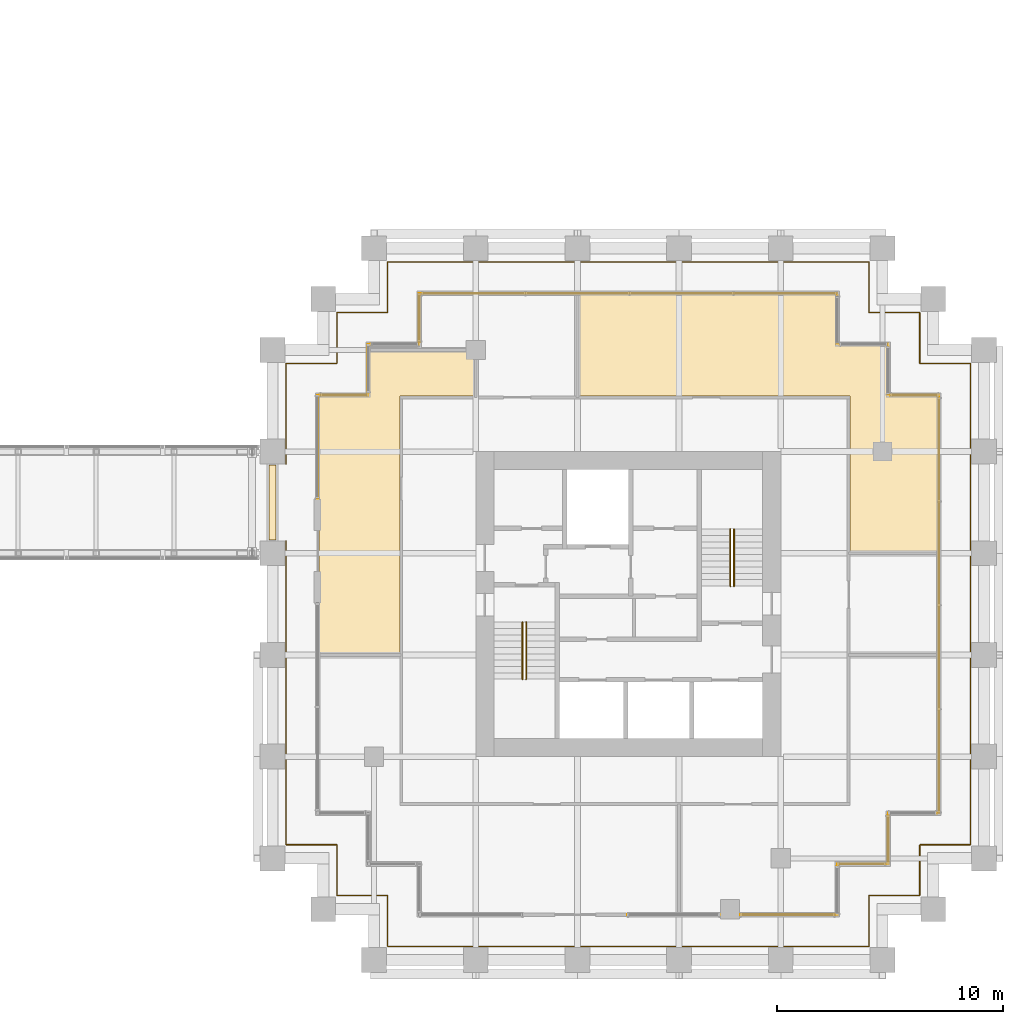
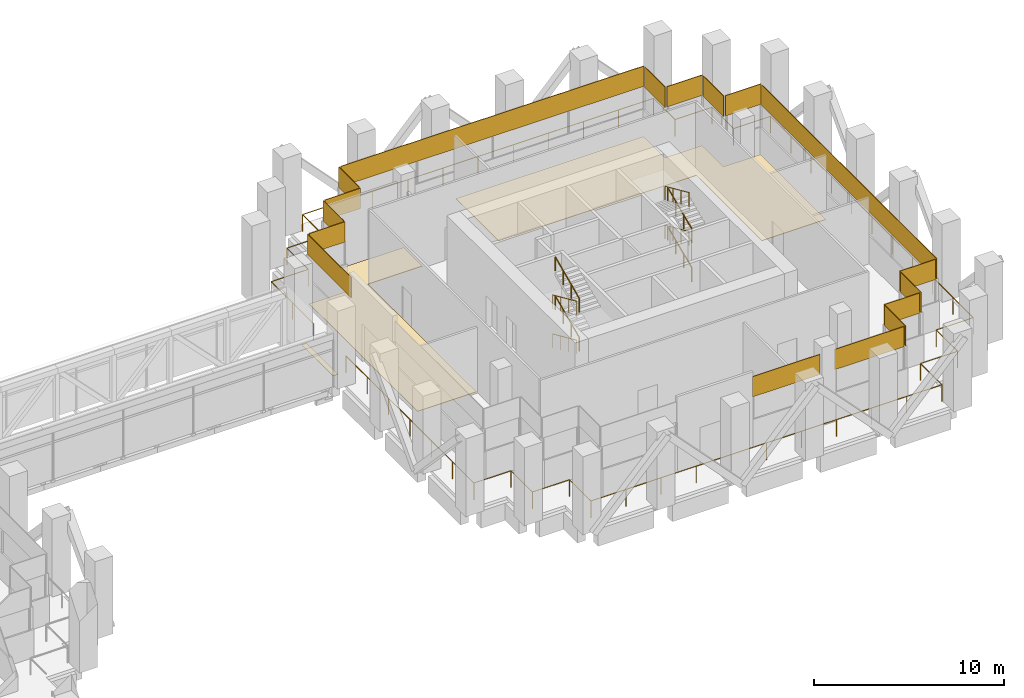
# One storey, part 44 of 44: 20 coverings, 9 railings.
"""IFC4 building model written with IfcOpenShell, lengths in metres."""

from ifc_helpers import new_model, si_unit, direction, frame, origin, origin_2d, place, context, subcontext, project, spatial, polyline, rectangle, circle, outline, extrude, source, transform, mapped, material, layer, layer_set, type_object, element, save


model = new_model("IFC4")

# Units and contexts
model_context = context("Model", 3, precision=1e-05, world=origin(), true_north=direction((0.0, 1.0)))
body_context = subcontext(model_context, "Body", "Model", "MODEL_VIEW")
ifc_project = project(units=[si_unit("LENGTHUNIT", "METRE"), si_unit("AREAUNIT", "SQUARE_METRE"), si_unit("VOLUMEUNIT", "CUBIC_METRE"), si_unit("PLANEANGLEUNIT", "RADIAN"), si_unit("MASSUNIT", "GRAM", prefix="KILO")], contexts=[model_context])

# Site, building, storey
site_placement = place(None, origin())
site = spatial("IfcSite", under=ifc_project, at=site_placement, CompositionType="ELEMENT")
building_placement = place(site_placement, origin())
building = spatial("IfcBuilding", under=site, at=building_placement, Name="Altepetl Exchange Towers", CompositionType="ELEMENT")
storey_placement = place(building_placement, frame((0.0, 0.0, 87.0)))
storey = spatial("IfcBuildingStorey", under=building, at=storey_placement, Name="L21 Refuge", CompositionType="ELEMENT", Elevation=87.0)

# Coverings
ifc_material_1 = material(Name="Stainless steel and elastomer joint cover", Category="steel")
ifc_layer_1 = layer(ifc_material_1, 0.02001953125)
ifc_layer_set_1 = layer_set([ifc_layer_1], Name="Stainless steel and elastomer joint cover")
covering_type_1 = type_object("IfcCoveringType", Name="Flexible expansion joint cover 300", PredefinedType="FLOORING", material=ifc_layer_set_1)
covering_1_placement = place(storey_placement, frame((94.5, 47.25, 0.0)))
element("IfcCovering", 1, at=covering_1_placement, inside=storey, type_object=covering_type_1, Name="BR1 joint cover", PredefinedType="FLOORING", context=body_context, shape_type="SweptSolid", body=[
    extrude(rectangle(XDim=0.300048828125, YDim=3.300048828125, at=origin_2d()), origin(), (0.0, 0.0, 1.0), 0.02001953125),
])
ifc_material_2 = material(Name="Cantera stone", Category="masonry")
ifc_layer_2 = layer(ifc_material_2, 0.030029296875)
ifc_layer_set_2 = layer_set([ifc_layer_2], Name="Cantera stone")
covering_type_2 = type_object("IfcCoveringType", Name="Polished stone floor", PredefinedType="FLOORING", material=ifc_layer_set_2)
covering_2_placement = place(storey_placement, origin())
element("IfcCovering", 2, at=covering_2_placement, inside=storey, type_object=covering_type_2, Name="Refuge area floor finish B21.04", PredefinedType="FLOORING", context=body_context, shape_type="SweptSolid", body=[
    extrude(outline(polyline([(108.0625, 56.4375), (108.0625, 51.96240234375), (120.0625, 51.96240234375), (120.0625, 45.0625), (123.9375, 45.0625), (123.9375, 51.9375), (121.6875, 51.9375), (121.6875, 54.1875), (119.4375, 54.1875), (119.4375, 56.4375), (108.0625, 56.4375)])), origin(), (0.0, 0.0, 1.0), 0.030029296875),
])
covering_3_placement = place(storey_placement, origin())
element("IfcCovering", 3, at=covering_3_placement, inside=storey, type_object=covering_type_2, Name="Bridge lobby floor finish B21.06", PredefinedType="FLOORING", context=body_context, shape_type="SweptSolid", body=[
    extrude(outline(polyline([(96.5625, 51.9375), (96.5625, 40.5625), (100.137451171875, 40.5625), (100.137451171875, 51.96240234375), (103.4375, 51.96240234375), (103.4375, 53.9375), (98.8125, 53.9375), (98.8125, 51.9375), (96.5625, 51.9375)])), origin(), (0.0, 0.0, 1.0), 0.030029296875),
])
ifc_material_3 = material(Name="Cantera limestone cladding", Category="masonry")
ifc_layer_3 = layer(ifc_material_3, 0.0400390625)
ifc_layer_set_3 = layer_set([ifc_layer_3], Name="Cantera limestone cladding")
covering_type_3 = type_object("IfcCoveringType", Name="Stone panel 40 cantera", PredefinedType="CLADDING", material=ifc_layer_set_3)
covering_4_placement = place(storey_placement, frame((97.675048828125, 52.0, 3.2001953125), z_axis=(0.0, 0.0, 1.0), x_axis=(-1.0, 0.0, 0.0)))
element("IfcCovering", 4, at=covering_4_placement, inside=storey, type_object=covering_type_3, Name="Stone cladding band", PredefinedType="CLADDING", context=body_context, shape_type="SweptSolid", body=[
    extrude(rectangle(XDim=2.14990234375, YDim=0.0400390625, at=origin_2d()), origin(), (0.0, 0.0, 1.0), 1.300048828125),
])
covering_5_placement = place(storey_placement, frame((96.5, 49.699951171875, 3.2001953125), z_axis=(0.0, 0.0, 1.0), x_axis=(0.0, -1.0, 0.0)))
element("IfcCovering", 5, at=covering_5_placement, inside=storey, type_object=covering_type_3, Name="Stone cladding band", PredefinedType="CLADDING", context=body_context, shape_type="SweptSolid", body=[
    extrude(rectangle(XDim=4.60009765625, YDim=0.0400390625, at=origin_2d()), origin(), (0.0, 0.0, 1.0), 1.300048828125),
])
covering_6_placement = place(storey_placement, frame((112.25244140625, 29.0, 3.2001953125)))
element("IfcCovering", 6, at=covering_6_placement, inside=storey, type_object=covering_type_3, Name="Stone cladding band", PredefinedType="CLADDING", context=body_context, shape_type="SweptSolid", body=[
    extrude(rectangle(XDim=4.10498046875, YDim=0.0400390625, at=origin_2d()), origin(), (0.0, 0.0, 1.0), 1.300048828125),
])
covering_7_placement = place(storey_placement, frame((117.297607421875, 29.0, 3.2001953125)))
element("IfcCovering", 7, at=covering_7_placement, inside=storey, type_object=covering_type_3, Name="Stone cladding band", PredefinedType="CLADDING", context=body_context, shape_type="SweptSolid", body=[
    extrude(rectangle(XDim=4.205078125, YDim=0.0400390625, at=origin_2d()), origin(), (0.0, 0.0, 1.0), 1.300048828125),
])
covering_8_placement = place(storey_placement, frame((119.5, 30.074951171875, 3.2001953125), z_axis=(0.0, 0.0, 1.0), x_axis=(0.0, 1.0, 0.0)))
element("IfcCovering", 8, at=covering_8_placement, inside=storey, type_object=covering_type_3, Name="Stone cladding band", PredefinedType="CLADDING", context=body_context, shape_type="SweptSolid", body=[
    extrude(rectangle(XDim=2.14990234375, YDim=0.0400390625, at=origin_2d()), origin(), (0.0, 0.0, 1.0), 1.300048828125),
])
covering_9_placement = place(storey_placement, frame((120.574951171875, 31.25, 3.2001953125)))
element("IfcCovering", 9, at=covering_9_placement, inside=storey, type_object=covering_type_3, Name="Stone cladding band", PredefinedType="CLADDING", context=body_context, shape_type="SweptSolid", body=[
    extrude(rectangle(XDim=2.14990234375, YDim=0.0400390625, at=origin_2d()), origin(), (0.0, 0.0, 1.0), 1.300048828125),
])
covering_10_placement = place(storey_placement, frame((121.75, 32.324951171875, 3.2001953125), z_axis=(0.0, 0.0, 1.0), x_axis=(0.0, 1.0, 0.0)))
element("IfcCovering", 10, at=covering_10_placement, inside=storey, type_object=covering_type_3, Name="Stone cladding band", PredefinedType="CLADDING", context=body_context, shape_type="SweptSolid", body=[
    extrude(rectangle(XDim=2.14990234375, YDim=0.0400390625, at=origin_2d()), origin(), (0.0, 0.0, 1.0), 1.300048828125),
])
covering_11_placement = place(storey_placement, frame((122.824951171875, 33.5, 3.2001953125)))
element("IfcCovering", 11, at=covering_11_placement, inside=storey, type_object=covering_type_3, Name="Stone cladding band", PredefinedType="CLADDING", context=body_context, shape_type="SweptSolid", body=[
    extrude(rectangle(XDim=2.14990234375, YDim=0.0400390625, at=origin_2d()), origin(), (0.0, 0.0, 1.0), 1.300048828125),
])
covering_12_placement = place(storey_placement, frame((124.0, 42.699951171875, 3.2001953125), z_axis=(0.0, 0.0, 1.0), x_axis=(0.0, 1.0, 0.0)))
element("IfcCovering", 12, at=covering_12_placement, inside=storey, type_object=covering_type_3, Name="Stone cladding band", PredefinedType="CLADDING", context=body_context, shape_type="SweptSolid", body=[
    extrude(rectangle(XDim=18.39990234375, YDim=0.0400390625, at=origin_2d()), origin(), (0.0, 0.0, 1.0), 1.300048828125),
])
for number, where, z_axis, x_axis, name in (
    (13, (122.925048828125, 52.0, 3.2001953125), (0.0, 0.0, 1.0), (-1.0, 0.0, 0.0), "Stone cladding band"),
    (14, (121.75, 53.074951171875, 3.2001953125), (0.0, 0.0, 1.0), (0.0, 1.0, 0.0), "Stone cladding band"),
    (15, (120.675048828125, 54.25, 3.2001953125), (0.0, 0.0, 1.0), (-1.0, 0.0, 0.0), "Stone cladding band"),
    (16, (119.5, 55.324951171875, 3.2001953125), (0.0, 0.0, 1.0), (0.0, 1.0, 0.0), "Stone cladding band"),
):
    element("IfcCovering", number, at=place(storey_placement, frame(where, z_axis=z_axis, x_axis=x_axis)), inside=storey, type_object=covering_type_3, Name=name, PredefinedType="CLADDING", context=body_context, shape_type="SweptSolid", body=[
        extrude(rectangle(XDim=2.14990234375, YDim=0.0400390625, at=origin_2d()), origin(), (0.0, 0.0, 1.0), 1.300048828125),
    ])
covering_13_placement = place(storey_placement, frame((110.300048828125, 56.5, 3.2001953125), z_axis=(0.0, 0.0, 1.0), x_axis=(-1.0, 0.0, 0.0)))
element("IfcCovering", 17, at=covering_13_placement, inside=storey, type_object=covering_type_3, Name="Stone cladding band", PredefinedType="CLADDING", context=body_context, shape_type="SweptSolid", body=[
    extrude(rectangle(XDim=18.39990234375, YDim=0.0400390625, at=origin_2d()), origin(), (0.0, 0.0, 1.0), 1.300048828125),
])
for number, where, z_axis, x_axis, name in (
    (18, (101.0, 55.425048828125, 3.2001953125), (0.0, 0.0, 1.0), (0.0, -1.0, 0.0), "Stone cladding band"),
    (19, (99.925048828125, 54.25, 3.2001953125), (0.0, 0.0, 1.0), (-1.0, 0.0, 0.0), "Stone cladding band"),
    (20, (98.75, 53.175048828125, 3.2001953125), (0.0, 0.0, 1.0), (0.0, -1.0, 0.0), "Stone cladding band"),
):
    element("IfcCovering", number, at=place(storey_placement, frame(where, z_axis=z_axis, x_axis=x_axis)), inside=storey, type_object=covering_type_3, Name=name, PredefinedType="CLADDING", context=body_context, shape_type="SweptSolid", body=[
        extrude(rectangle(XDim=2.14990234375, YDim=0.0400390625, at=origin_2d()), origin(), (0.0, 0.0, 1.0), 1.300048828125),
    ])

# Railings
ifc_material_4 = material(Name="Steel S355", Category="steel")
railing_type_1 = type_object("IfcRailingType", Name="Guard 1100 steel posts and rail", PredefinedType="GUARDRAIL", material=ifc_material_4)
shared_shape_1 = source(origin(), body_context, "Body", "SweptSolid", [
    extrude(circle(Radius=0.02099609375, at=origin_2d()), origin(), (0.0, 0.0, 1.0), 1.052001953125),
])
railing_1_placement = place(storey_placement, frame((95.10009765625, 45.550048828125, 0.0)))
element("IfcRailing", 21, at=railing_1_placement, inside=storey, type_object=railing_type_1, Name="Loggia guard", PredefinedType="GUARDRAIL", context=body_context, shape_type="SweptSolid", body=[
    extrude(circle(Radius=0.02392578125, at=origin_2d()), frame((0.0, 0.0, 1.076171875), z_axis=(0.0, -1.0, 0.0), x_axis=(1.0, 0.0, 0.0)), (0.0, 0.0, 1.0), 13.449951171875),
    extrude(circle(Radius=0.02392578125, at=origin_2d()), frame((0.0, -13.449951171875, 1.076171875), z_axis=(1.0, 0.0, 0.0), x_axis=(0.0, 1.0, 0.0)), (0.0, 0.0, 1.0), 2.25),
    extrude(circle(Radius=0.02392578125, at=origin_2d()), frame((2.25, -13.449951171875, 1.076171875), z_axis=(0.0, -1.0, 0.0), x_axis=(1.0, 0.0, 0.0)), (0.0, 0.0, 1.0), 2.25),
    extrude(circle(Radius=0.02392578125, at=origin_2d()), frame((2.25, -15.699951171875, 1.076171875), z_axis=(1.0, 0.0, 0.0), x_axis=(0.0, 1.0, 0.0)), (0.0, 0.0, 1.0), 2.25),
    extrude(circle(Radius=0.02392578125, at=origin_2d()), frame((4.5, -15.699951171875, 1.076171875), z_axis=(0.0, -1.0, 0.0), x_axis=(1.0, 0.0, 0.0)), (0.0, 0.0, 1.0), 2.25),
    extrude(circle(Radius=0.02392578125, at=origin_2d()), frame((4.5, -17.949951171875, 1.076171875), z_axis=(1.0, 0.0, 0.0), x_axis=(0.0, 1.0, 0.0)), (0.0, 0.0, 1.0), 21.2998046875),
    extrude(circle(Radius=0.02392578125, at=origin_2d()), frame((25.7998046875, -17.949951171875, 1.076171875), z_axis=(0.0, 1.0, 0.0), x_axis=(-1.0, 0.0, 0.0)), (0.0, 0.0, 1.0), 2.25),
    extrude(circle(Radius=0.02392578125, at=origin_2d()), frame((25.7998046875, -15.699951171875, 1.076171875), z_axis=(1.0, 0.0, 0.0), x_axis=(0.0, 1.0, 0.0)), (0.0, 0.0, 1.0), 2.25),
    extrude(circle(Radius=0.02392578125, at=origin_2d()), frame((28.0498046875, -15.699951171875, 1.076171875), z_axis=(0.0, 1.0, 0.0), x_axis=(-1.0, 0.0, 0.0)), (0.0, 0.0, 1.0), 2.25),
    extrude(circle(Radius=0.02392578125, at=origin_2d()), frame((28.0498046875, -13.449951171875, 1.076171875), z_axis=(1.0, 0.0, 0.0), x_axis=(0.0, 1.0, 0.0)), (0.0, 0.0, 1.0), 2.25),
    extrude(circle(Radius=0.02392578125, at=origin_2d()), frame((30.2998046875, -13.449951171875, 1.076171875), z_axis=(0.0, 1.0, 0.0), x_axis=(-1.0, 0.0, 0.0)), (0.0, 0.0, 1.0), 21.2998046875),
    extrude(circle(Radius=0.02392578125, at=origin_2d()), frame((30.2998046875, 7.849853515625, 1.076171875), z_axis=(-1.0, 0.0, 0.0), x_axis=(0.0, -1.0, 0.0)), (0.0, 0.0, 1.0), 2.25),
    extrude(circle(Radius=0.02392578125, at=origin_2d()), frame((28.0498046875, 7.849853515625, 1.076171875), z_axis=(0.0, 1.0, 0.0), x_axis=(-1.0, 0.0, 0.0)), (0.0, 0.0, 1.0), 2.25),
    extrude(circle(Radius=0.02392578125, at=origin_2d()), frame((28.0498046875, 10.099853515625, 1.076171875), z_axis=(-1.0, 0.0, 0.0), x_axis=(0.0, -1.0, 0.0)), (0.0, 0.0, 1.0), 2.25),
    extrude(circle(Radius=0.02392578125, at=origin_2d()), frame((25.7998046875, 10.099853515625, 1.076171875), z_axis=(0.0, 1.0, 0.0), x_axis=(-1.0, 0.0, 0.0)), (0.0, 0.0, 1.0), 2.25),
    extrude(circle(Radius=0.02392578125, at=origin_2d()), frame((25.7998046875, 12.349853515625, 1.076171875), z_axis=(-1.0, 0.0, 0.0), x_axis=(0.0, -1.0, 0.0)), (0.0, 0.0, 1.0), 21.2998046875),
    extrude(circle(Radius=0.02392578125, at=origin_2d()), frame((4.5, 12.349853515625, 1.076171875), z_axis=(0.0, -1.0, 0.0), x_axis=(1.0, 0.0, 0.0)), (0.0, 0.0, 1.0), 2.25),
    extrude(circle(Radius=0.02392578125, at=origin_2d()), frame((4.5, 10.099853515625, 1.076171875), z_axis=(-1.0, 0.0, 0.0), x_axis=(0.0, -1.0, 0.0)), (0.0, 0.0, 1.0), 2.25),
    extrude(circle(Radius=0.02392578125, at=origin_2d()), frame((2.25, 10.099853515625, 1.076171875), z_axis=(0.0, -1.0, 0.0), x_axis=(1.0, 0.0, 0.0)), (0.0, 0.0, 1.0), 2.25),
    extrude(circle(Radius=0.02392578125, at=origin_2d()), frame((2.25, 7.849853515625, 1.076171875), z_axis=(-1.0, 0.0, 0.0), x_axis=(0.0, -1.0, 0.0)), (0.0, 0.0, 1.0), 2.25),
    extrude(circle(Radius=0.02392578125, at=origin_2d()), frame((0.0, 7.849853515625, 1.076171875), z_axis=(0.0, -1.0, 0.0), x_axis=(1.0, 0.0, 0.0)), (0.0, 0.0, 1.0), 4.449951171875),
    mapped(shared_shape_1, transform((0.0, 0.0, 0.0))),
    mapped(shared_shape_1, transform((0.0, -2.24169921875, 0.0))),
    mapped(shared_shape_1, transform((0.0, -4.4833984375, 0.0))),
    mapped(shared_shape_1, transform((0.0, -6.72509765625, 0.0))),
    mapped(shared_shape_1, transform((0.0, -8.966552734375, 0.0))),
    mapped(shared_shape_1, transform((0.0, -11.208251953125, 0.0))),
    mapped(shared_shape_1, transform((0.0, -13.449951171875, 0.0))),
    mapped(shared_shape_1, transform((2.25, -13.449951171875, 0.0))),
    mapped(shared_shape_1, transform((2.25, -15.699951171875, 0.0))),
    mapped(shared_shape_1, transform((4.5, -15.699951171875, 0.0))),
    mapped(shared_shape_1, transform((4.5, -17.949951171875, 0.0))),
    mapped(shared_shape_1, transform((6.6298828125, -17.949951171875, 0.0))),
    mapped(shared_shape_1, transform((8.760009765625, -17.949951171875, 0.0))),
    mapped(shared_shape_1, transform((10.889892578125, -17.949951171875, 0.0))),
    mapped(shared_shape_1, transform((13.02001953125, -17.949951171875, 0.0))),
    mapped(shared_shape_1, transform((15.14990234375, -17.949951171875, 0.0))),
    mapped(shared_shape_1, transform((17.27978515625, -17.949951171875, 0.0))),
    mapped(shared_shape_1, transform((19.409912109375, -17.949951171875, 0.0))),
    mapped(shared_shape_1, transform((21.539794921875, -17.949951171875, 0.0))),
    mapped(shared_shape_1, transform((23.669921875, -17.949951171875, 0.0))),
    mapped(shared_shape_1, transform((25.7998046875, -17.949951171875, 0.0))),
    mapped(shared_shape_1, transform((25.7998046875, -15.699951171875, 0.0))),
    mapped(shared_shape_1, transform((28.0498046875, -15.699951171875, 0.0))),
    mapped(shared_shape_1, transform((28.0498046875, -13.449951171875, 0.0))),
    mapped(shared_shape_1, transform((30.2998046875, -13.449951171875, 0.0))),
    mapped(shared_shape_1, transform((30.2998046875, -11.320068359375, 0.0))),
    mapped(shared_shape_1, transform((30.2998046875, -9.18994140625, 0.0))),
    mapped(shared_shape_1, transform((30.2998046875, -7.06005859375, 0.0))),
    mapped(shared_shape_1, transform((30.2998046875, -4.929931640625, 0.0))),
    mapped(shared_shape_1, transform((30.2998046875, -2.800048828125, 0.0))),
    mapped(shared_shape_1, transform((30.2998046875, -0.670166015625, 0.0))),
    mapped(shared_shape_1, transform((30.2998046875, 1.4599609375, 0.0))),
    mapped(shared_shape_1, transform((30.2998046875, 3.58984375, 0.0))),
    mapped(shared_shape_1, transform((30.2998046875, 5.719970703125, 0.0))),
    mapped(shared_shape_1, transform((30.2998046875, 7.849853515625, 0.0))),
    mapped(shared_shape_1, transform((28.0498046875, 7.849853515625, 0.0))),
    mapped(shared_shape_1, transform((28.0498046875, 10.099853515625, 0.0))),
    mapped(shared_shape_1, transform((25.7998046875, 10.099853515625, 0.0))),
    mapped(shared_shape_1, transform((25.7998046875, 12.349853515625, 0.0))),
    mapped(shared_shape_1, transform((23.669921875, 12.349853515625, 0.0))),
    mapped(shared_shape_1, transform((21.539794921875, 12.349853515625, 0.0))),
    mapped(shared_shape_1, transform((19.409912109375, 12.349853515625, 0.0))),
    mapped(shared_shape_1, transform((17.27978515625, 12.349853515625, 0.0))),
    mapped(shared_shape_1, transform((15.14990234375, 12.349853515625, 0.0))),
    mapped(shared_shape_1, transform((13.02001953125, 12.349853515625, 0.0))),
    mapped(shared_shape_1, transform((10.889892578125, 12.349853515625, 0.0))),
    mapped(shared_shape_1, transform((8.760009765625, 12.349853515625, 0.0))),
    mapped(shared_shape_1, transform((6.6298828125, 12.349853515625, 0.0))),
    mapped(shared_shape_1, transform((4.5, 12.349853515625, 0.0))),
    mapped(shared_shape_1, transform((4.5, 10.099853515625, 0.0))),
    mapped(shared_shape_1, transform((2.25, 10.099853515625, 0.0))),
    mapped(shared_shape_1, transform((2.25, 7.849853515625, 0.0))),
    mapped(shared_shape_1, transform((0.0, 7.849853515625, 0.0))),
    mapped(shared_shape_1, transform((0.0, 5.625, 0.0))),
    mapped(shared_shape_1, transform((0.0, 3.39990234375, 0.0))),
])
ifc_material_5 = material(Name="Steel", Category="steel")
railing_type_2 = type_object("IfcRailingType", Name="Stair handrail 50 steel tube", PredefinedType="HANDRAIL", material=ifc_material_5)
shared_shape_2 = source(origin(), body_context, "Body", "SweptSolid", [
    extrude(circle(Radius=0.02099609375, at=origin_2d()), origin(), (0.0, 0.0, 1.0), 0.851806640625),
])
railing_2_placement = place(storey_placement, frame((105.570068359375, 41.949951171875, 0.125)))
element("IfcRailing", 22, at=railing_2_placement, inside=storey, type_object=railing_type_2, Name="Stair handrail", PredefinedType="HANDRAIL", context=body_context, shape_type="SweptSolid", body=[
    extrude(circle(Radius=0.02392578125, at=origin_2d()), frame((0.0, 0.0, 0.8759765625), z_axis=(0.0, -0.913139058521, 0.407648205936), x_axis=(1.0, 0.0, 0.0)), (0.0, 0.0, 1.0), 2.759765625),
    mapped(shared_shape_2, transform((0.0, 0.0, 0.0))),
    mapped(shared_shape_2, transform((0.0, -0.840087890625, 0.375))),
    mapped(shared_shape_2, transform((0.0, -1.679931640625, 0.75))),
    mapped(shared_shape_2, transform((0.0, -2.52001953125, 1.125))),
])
railing_3_placement = place(storey_placement, frame((105.72998046875, 39.429931640625, 1.375)))
element("IfcRailing", 23, at=railing_3_placement, inside=storey, type_object=railing_type_2, Name="Stair handrail", PredefinedType="HANDRAIL", context=body_context, shape_type="SweptSolid", body=[
    extrude(circle(Radius=0.02392578125, at=origin_2d()), frame((0.0, 0.0, 0.8759765625), z_axis=(0.0, 0.913139058521, 0.407648205936), x_axis=(-1.0, 0.0, 0.0)), (0.0, 0.0, 1.0), 2.759765625),
    mapped(shared_shape_2, transform((0.0, 0.0, 0.0))),
    mapped(shared_shape_2, transform((0.0, 0.840087890625, 0.375))),
    mapped(shared_shape_2, transform((0.0, 1.679931640625, 0.75))),
    mapped(shared_shape_2, transform((0.0, 2.52001953125, 1.125))),
])
railing_4_placement = place(storey_placement, frame((105.570068359375, 41.949951171875, 2.625)))
element("IfcRailing", 24, at=railing_4_placement, inside=storey, type_object=railing_type_2, Name="Stair handrail", PredefinedType="HANDRAIL", context=body_context, shape_type="SweptSolid", body=[
    extrude(circle(Radius=0.02392578125, at=origin_2d()), frame((0.0, 0.0, 0.8759765625), z_axis=(0.0, -0.913139058521, 0.407648205936), x_axis=(1.0, 0.0, 0.0)), (0.0, 0.0, 1.0), 2.759765625),
    mapped(shared_shape_2, transform((0.0, 0.0, 0.0))),
    mapped(shared_shape_2, transform((0.0, -0.840087890625, 0.375))),
    mapped(shared_shape_2, transform((0.0, -1.679931640625, 0.75))),
    mapped(shared_shape_2, transform((0.0, -2.52001953125, 1.125))),
])
for number, where, name in (
    (25, (105.72998046875, 39.429931640625, 3.875), "Stair handrail"),
    (26, (114.929931640625, 43.550048828125, 0.125), "Stair handrail"),
):
    element("IfcRailing", number, at=place(storey_placement, frame(where)), inside=storey, type_object=railing_type_2, Name=name, PredefinedType="HANDRAIL", context=body_context, shape_type="SweptSolid", body=[
        extrude(circle(Radius=0.02392578125, at=origin_2d()), frame((0.0, 0.0, 0.8759765625), z_axis=(0.0, 0.913139058521, 0.407648205936), x_axis=(-1.0, 0.0, 0.0)), (0.0, 0.0, 1.0), 2.759765625),
        mapped(shared_shape_2, transform((0.0, 0.0, 0.0))),
        mapped(shared_shape_2, transform((0.0, 0.840087890625, 0.375))),
        mapped(shared_shape_2, transform((0.0, 1.679931640625, 0.75))),
        mapped(shared_shape_2, transform((0.0, 2.52001953125, 1.125))),
    ])
railing_5_placement = place(storey_placement, frame((114.77001953125, 46.070068359375, 1.375)))
element("IfcRailing", 27, at=railing_5_placement, inside=storey, type_object=railing_type_2, Name="Stair handrail", PredefinedType="HANDRAIL", context=body_context, shape_type="SweptSolid", body=[
    extrude(circle(Radius=0.02392578125, at=origin_2d()), frame((0.0, 0.0, 0.8759765625), z_axis=(0.0, -0.913139058521, 0.407648205936), x_axis=(1.0, 0.0, 0.0)), (0.0, 0.0, 1.0), 2.759765625),
    mapped(shared_shape_2, transform((0.0, 0.0, 0.0))),
    mapped(shared_shape_2, transform((0.0, -0.840087890625, 0.375))),
    mapped(shared_shape_2, transform((0.0, -1.679931640625, 0.75))),
    mapped(shared_shape_2, transform((0.0, -2.52001953125, 1.125))),
])
railing_6_placement = place(storey_placement, frame((114.929931640625, 43.550048828125, 2.625)))
element("IfcRailing", 28, at=railing_6_placement, inside=storey, type_object=railing_type_2, Name="Stair handrail", PredefinedType="HANDRAIL", context=body_context, shape_type="SweptSolid", body=[
    extrude(circle(Radius=0.02392578125, at=origin_2d()), frame((0.0, 0.0, 0.8759765625), z_axis=(0.0, 0.913139058521, 0.407648205936), x_axis=(-1.0, 0.0, 0.0)), (0.0, 0.0, 1.0), 2.759765625),
    mapped(shared_shape_2, transform((0.0, 0.0, 0.0))),
    mapped(shared_shape_2, transform((0.0, 0.840087890625, 0.375))),
    mapped(shared_shape_2, transform((0.0, 1.679931640625, 0.75))),
    mapped(shared_shape_2, transform((0.0, 2.52001953125, 1.125))),
])
railing_7_placement = place(storey_placement, frame((114.77001953125, 46.070068359375, 3.875)))
element("IfcRailing", 29, at=railing_7_placement, inside=storey, type_object=railing_type_2, Name="Stair handrail", PredefinedType="HANDRAIL", context=body_context, shape_type="SweptSolid", body=[
    extrude(circle(Radius=0.02392578125, at=origin_2d()), frame((0.0, 0.0, 0.8759765625), z_axis=(0.0, -0.913139058521, 0.407648205936), x_axis=(1.0, 0.0, 0.0)), (0.0, 0.0, 1.0), 2.759765625),
    mapped(shared_shape_2, transform((0.0, 0.0, 0.0))),
    mapped(shared_shape_2, transform((0.0, -0.840087890625, 0.375))),
    mapped(shared_shape_2, transform((0.0, -1.679931640625, 0.75))),
    mapped(shared_shape_2, transform((0.0, -2.52001953125, 1.125))),
])

save(model, "model.ifc")
